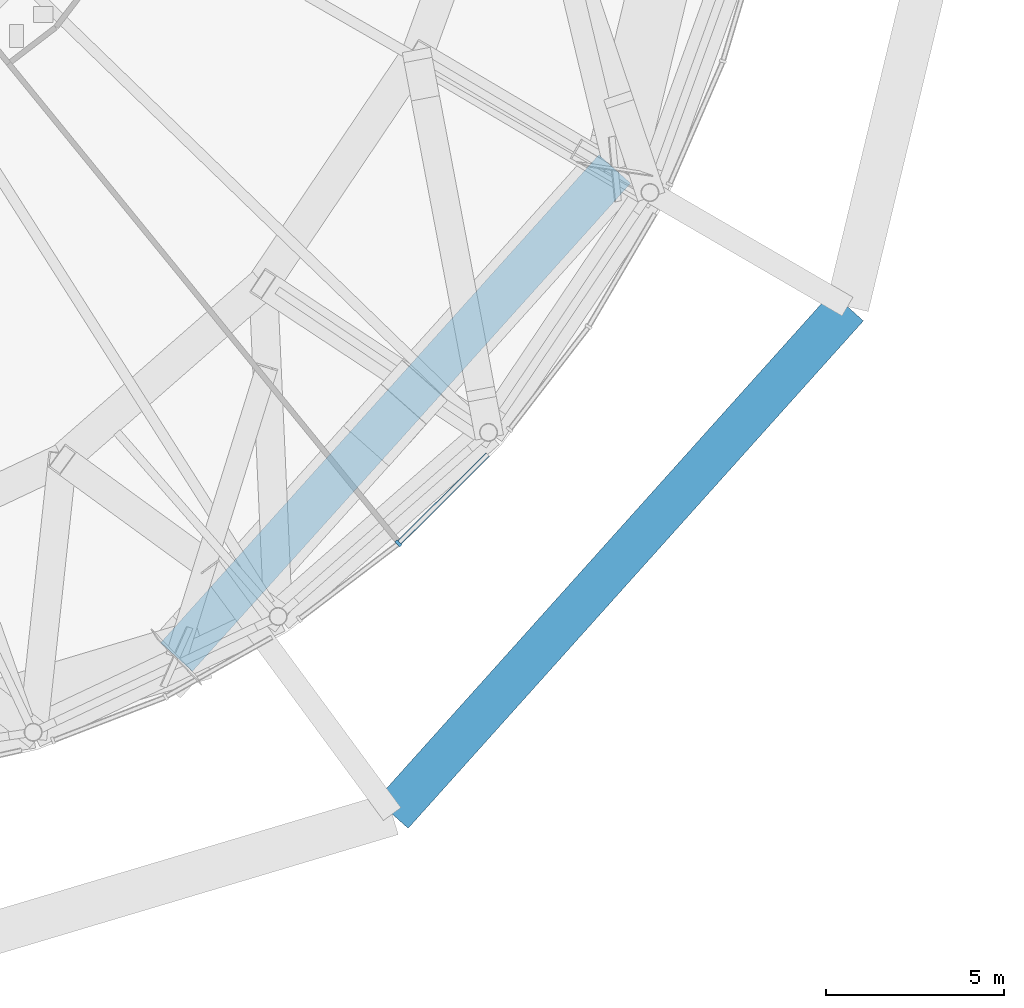
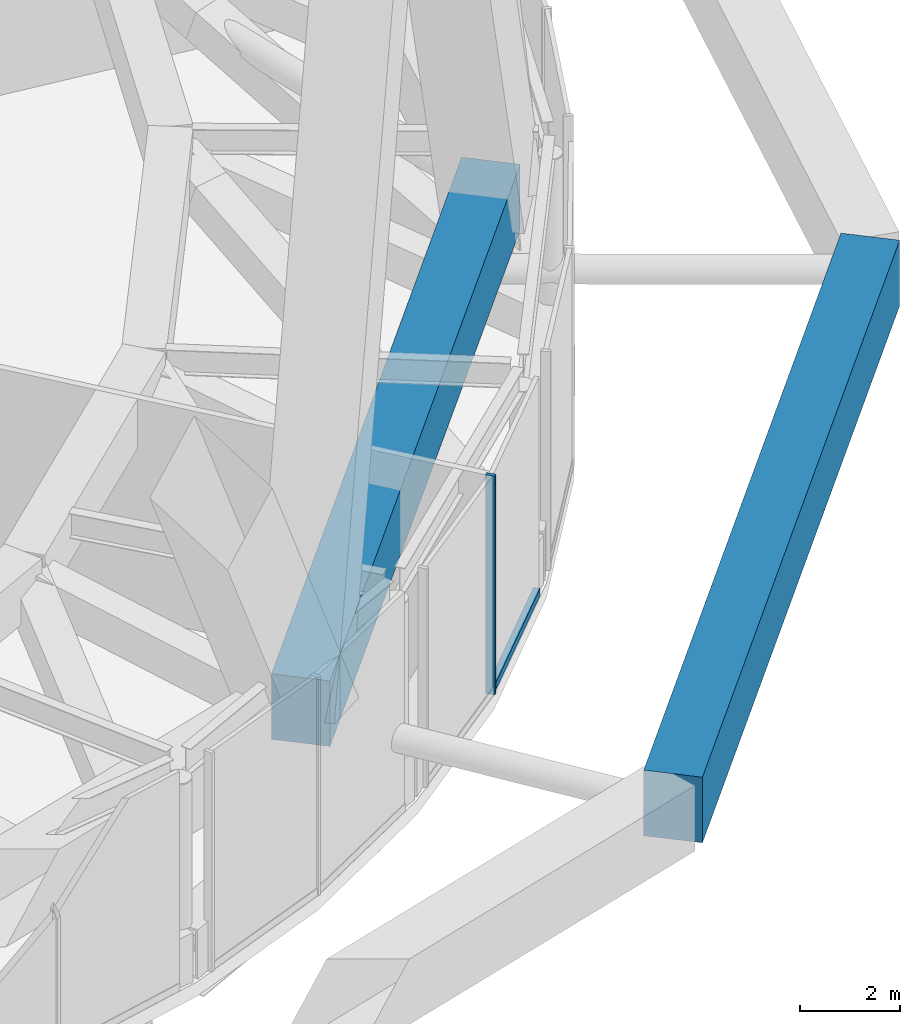
# One storey, part 13 of 51: 4 members, 1 element without a shape of its own.
"""IFC4 building model written with IfcOpenShell, lengths in metres."""

from ifc_helpers import new_model, si_unit, direction, frame, origin, origin_2d, place, context, subcontext, project, spatial, rectangle, extrude, material, layer, layer_set, material_profile, profile_set, type_object, element, aggregate, save


model = new_model("IFC4")

# Units and contexts
model_context = context("Model", 3, precision=1e-05, world=origin(), true_north=direction((0.0, 1.0)))
body_context = subcontext(model_context, "Body", "Model", "MODEL_VIEW")
ifc_project = project(units=[si_unit("LENGTHUNIT", "METRE"), si_unit("AREAUNIT", "SQUARE_METRE"), si_unit("VOLUMEUNIT", "CUBIC_METRE"), si_unit("PLANEANGLEUNIT", "RADIAN"), si_unit("MASSUNIT", "GRAM", prefix="KILO")], contexts=[model_context])

# Site, building, storey
site_placement = place(None, origin())
site = spatial("IfcSite", under=ifc_project, at=site_placement, CompositionType="ELEMENT")
building_placement = place(site_placement, origin())
building = spatial("IfcBuilding", under=site, at=building_placement, Name="Nagisa Residences", CompositionType="ELEMENT")
storey_placement = place(building_placement, frame((0.0, 0.0, 67.699951171875)))
storey = spatial("IfcBuildingStorey", under=building, at=storey_placement, Name="L16", CompositionType="ELEMENT", Elevation=67.699951171875)

# Curtain wall, members
ifc_material_1 = material(Name="Aluminium curtain wall system", Category="aluminium")
ifc_layer = layer(ifc_material_1, 0.159912109375)
ifc_layer_set = layer_set([ifc_layer], Name="CW2 CURTAIN WALL")
curtain_wall_type = type_object("IfcCurtainWallType", Name="CW2 CURTAIN WALL", PredefinedType="NOTDEFINED", material=ifc_layer_set)
curtain_wall_placement = place(storey_placement, origin())
curtain_wall = element("IfcCurtainWall", 1, at=curtain_wall_placement, inside=storey, type_object=curtain_wall_type, Name="cw:CW2:L16:41", PredefinedType="NOTDEFINED")
ifc_material_2 = material(Name="Aluminium", Category="aluminium")
ifc_material_profile_1 = material_profile(ifc_material_2, rectangle(XDim=0.199951171875, YDim=0.080078125, at=origin_2d()), Name="CW2 MULLION 200x80")
ifc_profile_set_1 = profile_set([ifc_material_profile_1], Name="Aluminium")
member_type_1 = type_object("IfcMemberType", Name="CW2 MULLION 200x80", PredefinedType="MULLION", material=ifc_profile_set_1)
member_1_placement = place(storey_placement, frame((21.225830078125, -26.095703125, 0.0), z_axis=(0.0, 0.0, 1.0), x_axis=(-0.706376885714, 0.707835924016, 0.0)))
member_1 = element("IfcMember", 2, at=member_1_placement, type_object=member_type_1, Name="CW2 mullion", PredefinedType="MULLION", context=body_context, shape_type="SweptSolid", body=[
    extrude(rectangle(XDim=0.199951171875, YDim=0.080078125, at=origin_2d()), origin(), (0.0, 0.0, 1.0), 5.340087890625),
])
ifc_material_3 = material(Name="Aluminium", Category="aluminium")
ifc_material_profile_2 = material_profile(ifc_material_3, rectangle(XDim=0.139892578125, YDim=0.179931640625, at=origin_2d()), Name="CW2 TRANSOM 140x180")
ifc_profile_set_2 = profile_set([ifc_material_profile_2], Name="Aluminium")
member_type_2 = type_object("IfcMemberType", Name="CW2 TRANSOM 140x180", PredefinedType="USERDEFINED", material=ifc_profile_set_2)
member_2_placement = place(storey_placement, frame((21.197509765625, -26.1240234375, 0.090087890625), z_axis=(0.707822631018, 0.706390205919, 0.0), x_axis=(-0.706390205919, 0.707822631018, 0.0)))
member_2 = element("IfcMember", 3, at=member_2_placement, type_object=member_type_2, Name="CW2 transom", ObjectType="TRANSOM", PredefinedType="USERDEFINED", context=body_context, shape_type="SweptSolid", body=[
    extrude(rectangle(XDim=0.139892578125, YDim=0.179931640625, at=origin_2d()), origin(), (0.0, 0.0, 1.0), 3.5791015625),
])
aggregate(curtain_wall, [member_1, member_2])

# Members
ifc_material_4 = material(Name="Concrete C80", Category="concrete")
ifc_material_profile_3 = material_profile(ifc_material_4, rectangle(XDim=1.199951171875, YDim=1.60009765625, at=origin_2d()), Name="C80 1200x1600")
ifc_profile_set_3 = profile_set([ifc_material_profile_3], Name="Concrete C80")
member_type_3 = type_object("IfcMemberType", Name="Cage ring 1 C80 1200x1600", PredefinedType="CHORD", material=ifc_profile_set_3)
member_3_placement = place(storey_placement, frame((21.050048828125, -33.6884765625, 1.900146484375), z_axis=(0.66779408663, 0.744346060554, 0.0), x_axis=(-0.744346060554, 0.66779408663, 0.0)))
element("IfcMember", 4, at=member_3_placement, inside=storey, type_object=member_type_3, Name="beam:L16:cg1r211", PredefinedType="CHORD", context=body_context, shape_type="SweptSolid", body=[
    extrude(rectangle(XDim=1.199951171875, YDim=1.60009765625, at=origin_2d()), origin(), (0.0, 0.0, 1.0), 19.12890625),
])
ifc_material_5 = material(Name="Concrete C80", Category="concrete")
ifc_material_profile_4 = material_profile(ifc_material_5, rectangle(XDim=1.199951171875, YDim=1.60009765625, at=origin_2d()), Name="C80 1200x1600")
ifc_profile_set_4 = profile_set([ifc_material_profile_4], Name="Concrete C80")
member_type_4 = type_object("IfcMemberType", Name="Cage ring 2 C80 1200x1600", PredefinedType="CHORD", material=ifc_profile_set_4)
member_4_placement = place(storey_placement, frame((14.99755859375, -29.28466796875, 3.699951171875), z_axis=(0.668102443775, 0.744069300954, 0.0), x_axis=(-0.744069300954, 0.668102443775, 0.0)))
element("IfcMember", 5, at=member_4_placement, inside=storey, type_object=member_type_4, Name="beam:L16:cg2r011", PredefinedType="CHORD", context=body_context, shape_type="SweptSolid", body=[
    extrude(rectangle(XDim=1.199951171875, YDim=1.60009765625, at=origin_2d()), origin(), (0.0, 0.0, 1.0), 18.4052734375),
])

save(model, "model.ifc")
